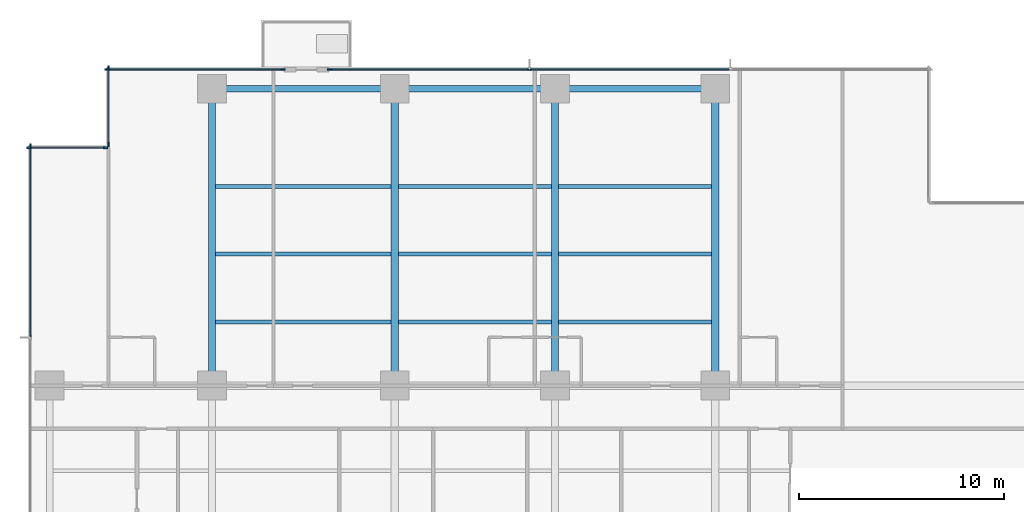
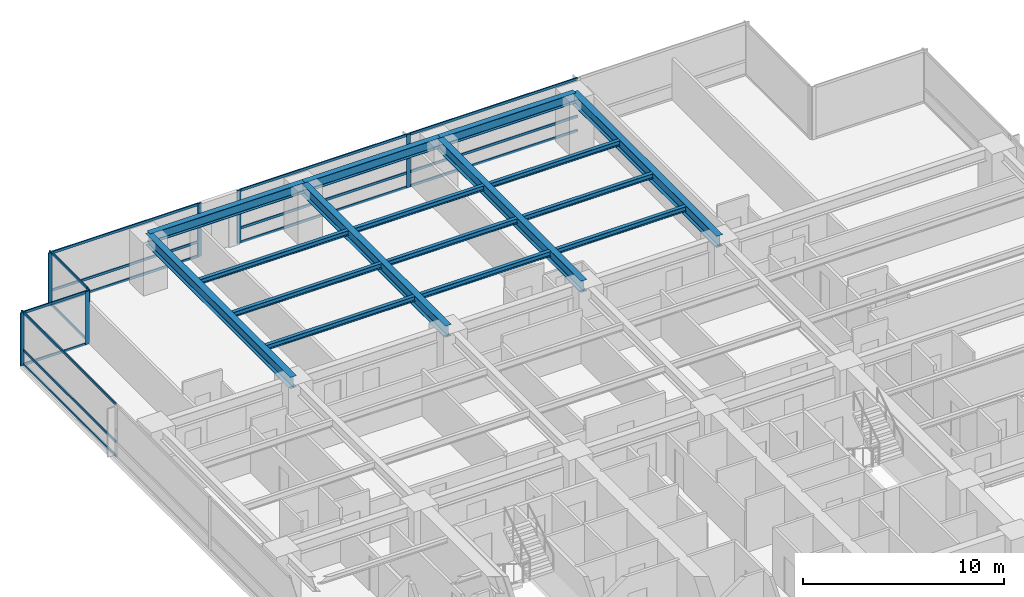
# One storey, part 4 of 16: 25 members, 16 beams, 5 elements without a shape of their own.
"""IFC4 building model written with IfcOpenShell, lengths in metres."""

from ifc_helpers import new_model, si_unit, direction, frame, origin, origin_2d, place, context, subcontext, project, spatial, rectangle, i_section, extrude, material, layer, layer_set, material_profile, profile_set, type_object, element, aggregate, save


model = new_model("IFC4")

# Units and contexts
model_context = context("Model", 3, precision=1e-05, world=origin(), true_north=direction((0.0, 1.0)))
body_context = subcontext(model_context, "Body", "Model", "MODEL_VIEW")
ifc_project = project(units=[si_unit("LENGTHUNIT", "METRE"), si_unit("AREAUNIT", "SQUARE_METRE"), si_unit("VOLUMEUNIT", "CUBIC_METRE"), si_unit("PLANEANGLEUNIT", "RADIAN"), si_unit("MASSUNIT", "GRAM", prefix="KILO")], contexts=[model_context])

# Site, building, storey
site_placement = place(None, origin())
site = spatial("IfcSite", under=ifc_project, at=site_placement, CompositionType="ELEMENT")
building_placement = place(site_placement, origin())
building = spatial("IfcBuilding", under=site, at=building_placement, Name="Qalmaran Belvedere Hotel", CompositionType="ELEMENT")
storey_placement = place(building_placement, frame((0.0, 0.0, 43.89990234375)))
storey = spatial("IfcBuildingStorey", under=building, at=storey_placement, Name="L10", CompositionType="ELEMENT", Elevation=43.89990234375)

# Beams
ifc_material_1 = material(Name="Steel S355JR", Category="steel")
ifc_material_profile_1 = material_profile(ifc_material_1, i_section(OverallWidth=0.202880859375, OverallDepth=0.302978515625, WebThickness=0.007568359375, FlangeThickness=0.01318359375, FilletRadius=0.012939453125, at=origin_2d()), Name="W310X60")
ifc_profile_set_1 = profile_set([ifc_material_profile_1], Name="Steel S355JR")
beam_type_1 = type_object("IfcBeamType", Name="BM-JST-W310X60", PredefinedType="JOIST", material=ifc_profile_set_1)
beam_1_placement = place(storey_placement, frame((20.4755859375, 36.10009765625, 3.068603515625), z_axis=(1.0, 0.0, 0.0), x_axis=(0.0, 1.0, 0.0)))
element("IfcBeam", 1, at=beam_1_placement, inside=storey, type_object=beam_type_1, Name="L10 North Floor Joist 042", PredefinedType="JOIST", context=body_context, shape_type="SweptSolid", body=[
    extrude(i_section(OverallWidth=0.202880859375, OverallDepth=0.302978515625, WebThickness=0.007568359375, FlangeThickness=0.01318359375, FilletRadius=0.012939453125, at=origin_2d()), origin(), (0.0, 0.0, 1.0), 8.548828125),
])
for number, where, z_axis, x_axis, name in (
    (2, (29.37548828125, 36.10009765625, 3.068603515625), (1.0, 0.0, 0.0), (0.0, 1.0, 0.0), "L10 North Floor Joist 043"),
    (3, (37.175537109375, 36.10009765625, 3.068603515625), (1.0, 0.0, 0.0), (0.0, 1.0, 0.0), "L10 North Floor Joist 044"),
):
    element("IfcBeam", number, at=place(storey_placement, frame(where, z_axis=z_axis, x_axis=x_axis)), inside=storey, type_object=beam_type_1, Name=name, PredefinedType="JOIST", context=body_context, shape_type="SweptSolid", body=[
        extrude(i_section(OverallWidth=0.202880859375, OverallDepth=0.302978515625, WebThickness=0.007568359375, FlangeThickness=0.01318359375, FilletRadius=0.012939453125, at=origin_2d()), origin(), (0.0, 0.0, 1.0), 7.448974609375),
    ])
beam_2_placement = place(storey_placement, frame((20.4755859375, 39.39990234375, 3.068603515625), z_axis=(1.0, 0.0, 0.0), x_axis=(0.0, 1.0, 0.0)))
element("IfcBeam", 4, at=beam_2_placement, inside=storey, type_object=beam_type_1, Name="L10 North Floor Joist 045", PredefinedType="JOIST", context=body_context, shape_type="SweptSolid", body=[
    extrude(i_section(OverallWidth=0.202880859375, OverallDepth=0.302978515625, WebThickness=0.007568359375, FlangeThickness=0.01318359375, FilletRadius=0.012939453125, at=origin_2d()), origin(), (0.0, 0.0, 1.0), 8.548828125),
])
for number, where, z_axis, x_axis, name in (
    (5, (29.37548828125, 39.39990234375, 3.068603515625), (1.0, 0.0, 0.0), (0.0, 1.0, 0.0), "L10 North Floor Joist 046"),
    (6, (37.175537109375, 39.39990234375, 3.068603515625), (1.0, 0.0, 0.0), (0.0, 1.0, 0.0), "L10 North Floor Joist 047"),
):
    element("IfcBeam", number, at=place(storey_placement, frame(where, z_axis=z_axis, x_axis=x_axis)), inside=storey, type_object=beam_type_1, Name=name, PredefinedType="JOIST", context=body_context, shape_type="SweptSolid", body=[
        extrude(i_section(OverallWidth=0.202880859375, OverallDepth=0.302978515625, WebThickness=0.007568359375, FlangeThickness=0.01318359375, FilletRadius=0.012939453125, at=origin_2d()), origin(), (0.0, 0.0, 1.0), 7.448974609375),
    ])
beam_3_placement = place(storey_placement, frame((20.4755859375, 42.699951171875, 3.068603515625), z_axis=(1.0, 0.0, 0.0), x_axis=(0.0, 1.0, 0.0)))
element("IfcBeam", 7, at=beam_3_placement, inside=storey, type_object=beam_type_1, Name="L10 North Floor Joist 048", PredefinedType="JOIST", context=body_context, shape_type="SweptSolid", body=[
    extrude(i_section(OverallWidth=0.202880859375, OverallDepth=0.302978515625, WebThickness=0.007568359375, FlangeThickness=0.01318359375, FilletRadius=0.012939453125, at=origin_2d()), origin(), (0.0, 0.0, 1.0), 8.548828125),
])
for number, where, z_axis, x_axis, name in (
    (8, (29.37548828125, 42.699951171875, 3.068603515625), (1.0, 0.0, 0.0), (0.0, 1.0, 0.0), "L10 North Floor Joist 049"),
    (9, (37.175537109375, 42.699951171875, 3.068603515625), (1.0, 0.0, 0.0), (0.0, 1.0, 0.0), "L10 North Floor Joist 050"),
):
    element("IfcBeam", number, at=place(storey_placement, frame(where, z_axis=z_axis, x_axis=x_axis)), inside=storey, type_object=beam_type_1, Name=name, PredefinedType="JOIST", context=body_context, shape_type="SweptSolid", body=[
        extrude(i_section(OverallWidth=0.202880859375, OverallDepth=0.302978515625, WebThickness=0.007568359375, FlangeThickness=0.01318359375, FilletRadius=0.012939453125, at=origin_2d()), origin(), (0.0, 0.0, 1.0), 7.448974609375),
    ])
ifc_material_profile_2 = material_profile(ifc_material_1, i_section(OverallWidth=0.326904296875, OverallDepth=0.6220703125, WebThickness=0.015380859375, FlangeThickness=0.0244140625, FilletRadius=0.02001953125, at=origin_2d()), Name="W610X195")
ifc_profile_set_2 = profile_set([ifc_material_profile_2], Name="Steel S355JR")
beam_type_2 = type_object("IfcBeamType", Name="BM-SP1-W610X195", PredefinedType="SPANDREL", material=ifc_profile_set_2)
beam_4_placement = place(storey_placement, frame((20.300048828125, 47.449951171875, 2.9091796875), z_axis=(1.0, 0.0, 0.0), x_axis=(0.0, 1.0, 0.0)))
element("IfcBeam", 10, at=beam_4_placement, inside=storey, type_object=beam_type_2, Name="L10 Perimeter Spandrel 05", PredefinedType="SPANDREL", context=body_context, shape_type="SweptSolid", body=[
    extrude(i_section(OverallWidth=0.326904296875, OverallDepth=0.6220703125, WebThickness=0.015380859375, FlangeThickness=0.0244140625, FilletRadius=0.02001953125, at=origin_2d()), origin(), (0.0, 0.0, 1.0), 8.89990234375),
])
for number, where, z_axis, x_axis, name in (
    (11, (29.199951171875, 47.449951171875, 2.9091796875), (1.0, 0.0, 0.0), (0.0, 1.0, 0.0), "L10 Perimeter Spandrel 06"),
    (12, (37.0, 47.449951171875, 2.9091796875), (1.0, 0.0, 0.0), (0.0, 1.0, 0.0), "L10 Perimeter Spandrel 07"),
):
    element("IfcBeam", number, at=place(storey_placement, frame(where, z_axis=z_axis, x_axis=x_axis)), inside=storey, type_object=beam_type_2, Name=name, PredefinedType="SPANDREL", context=body_context, shape_type="SweptSolid", body=[
        extrude(i_section(OverallWidth=0.326904296875, OverallDepth=0.6220703125, WebThickness=0.015380859375, FlangeThickness=0.0244140625, FilletRadius=0.02001953125, at=origin_2d()), origin(), (0.0, 0.0, 1.0), 7.800048828125),
    ])
ifc_material_profile_3 = material_profile(ifc_material_1, i_section(OverallWidth=0.35498046875, OverallDepth=0.695068359375, WebThickness=0.015380859375, FlangeThickness=0.02490234375, FilletRadius=0.02197265625, at=origin_2d()), Name="W690X217")
ifc_profile_set_3 = profile_set([ifc_material_profile_3], Name="Steel S355JR")
beam_type_3 = type_object("IfcBeamType", Name="BM-Z1-W690X217", PredefinedType="USERDEFINED", material=ifc_profile_set_3)
for number, where, z_axis, x_axis, name in (
    (13, (20.300048828125, 33.0, 2.87255859375), (0.0, 1.0, 0.0), (-1.0, 0.0, 0.0), "L10 North Bay Girder 15"),
    (14, (29.199951171875, 33.0, 2.87255859375), (0.0, 1.0, 0.0), (-1.0, 0.0, 0.0), "L10 North Bay Girder 17"),
    (15, (37.0, 33.0, 2.87255859375), (0.0, 1.0, 0.0), (-1.0, 0.0, 0.0), "L10 North Bay Girder 19"),
    (16, (44.800048828125, 33.0, 2.87255859375), (0.0, 1.0, 0.0), (-1.0, 0.0, 0.0), "L10 North Bay Girder 21"),
):
    element("IfcBeam", number, at=place(storey_placement, frame(where, z_axis=z_axis, x_axis=x_axis)), inside=storey, type_object=beam_type_3, Name=name, ObjectType="GIRDER", PredefinedType="USERDEFINED", context=body_context, shape_type="SweptSolid", body=[
        extrude(i_section(OverallWidth=0.35498046875, OverallDepth=0.695068359375, WebThickness=0.015380859375, FlangeThickness=0.02490234375, FilletRadius=0.02197265625, at=origin_2d()), origin(), (0.0, 0.0, 1.0), 14.449951171875),
    ])

# Curtain wall, members
ifc_material_2 = material(Name="Anodised Bronze Aluminium", Category="aluminium")
ifc_layer = layer(ifc_material_2, 0.2099609375, Name="Anodised Bronze Aluminium")
ifc_layer_set = layer_set([ifc_layer], Name="Anodised Bronze Aluminium")
curtain_wall_type = type_object("IfcCurtainWallType", Name="CW2-TOWER-LOWER", PredefinedType="NOTDEFINED", material=ifc_layer_set)
curtain_wall_1_placement = place(storey_placement, origin())
curtain_wall_1 = element("IfcCurtainWall", 17, at=curtain_wall_1_placement, inside=storey, type_object=curtain_wall_type, Name="L10 Curtain Wall CW2", PredefinedType="NOTDEFINED")
ifc_material_profile_4 = material_profile(ifc_material_2, rectangle(XDim=0.074951171875, YDim=0.219970703125, at=origin_2d()), Name="CWM75X220")
ifc_profile_set_4 = profile_set([ifc_material_profile_4], Name="Anodised Bronze Aluminium")
member_type_1 = type_object("IfcMemberType", Name="CWM-75X220", PredefinedType="MULLION", material=ifc_profile_set_4)
member_1_placement = place(storey_placement, frame((23.762451171875, 48.3798828125, 0.0), z_axis=(0.0, 0.0, 1.0), x_axis=(0.0, -1.0, 0.0)))
member_1 = element("IfcMember", 18, at=member_1_placement, type_object=member_type_1, Name="CW2 mullion 1", PredefinedType="MULLION", context=body_context, shape_type="SweptSolid", body=[
    extrude(rectangle(XDim=0.074951171875, YDim=0.219970703125, at=origin_2d()), origin(), (0.0, 0.0, 1.0), 3.22021484375),
])
member_2_placement = place(storey_placement, frame((15.1875, 48.3798828125, 0.0), z_axis=(0.0, 0.0, 1.0), x_axis=(0.0, -1.0, 0.0)))
member_2 = element("IfcMember", 19, at=member_2_placement, type_object=member_type_1, Name="CW2 mullion 2", PredefinedType="MULLION", context=body_context, shape_type="SweptSolid", body=[
    extrude(rectangle(XDim=0.074951171875, YDim=0.219970703125, at=origin_2d()), origin(), (0.0, 0.0, 1.0), 3.22021484375),
])

curtain_wall_2_placement = place(storey_placement, origin())
curtain_wall_2 = element("IfcCurtainWall", 20, at=curtain_wall_2_placement, inside=storey, type_object=curtain_wall_type, Name="L10 Curtain Wall CW2", PredefinedType="NOTDEFINED")
member_3_placement = place(storey_placement, frame((35.7666015625, 48.3798828125, 0.0), z_axis=(0.0, 0.0, 1.0), x_axis=(0.0, -1.0, 0.0)))
member_3 = element("IfcMember", 21, at=member_3_placement, type_object=member_type_1, Name="CW2 mullion 3", PredefinedType="MULLION", context=body_context, shape_type="SweptSolid", body=[
    extrude(rectangle(XDim=0.074951171875, YDim=0.219970703125, at=origin_2d()), origin(), (0.0, 0.0, 1.0), 3.22021484375),
])
member_4_placement = place(storey_placement, frame((26.03759765625, 48.3798828125, 0.0), z_axis=(0.0, 0.0, 1.0), x_axis=(0.0, -1.0, 0.0)))
member_4 = element("IfcMember", 22, at=member_4_placement, type_object=member_type_1, Name="CW2 mullion 4", PredefinedType="MULLION", context=body_context, shape_type="SweptSolid", body=[
    extrude(rectangle(XDim=0.074951171875, YDim=0.219970703125, at=origin_2d()), origin(), (0.0, 0.0, 1.0), 3.22021484375),
])

curtain_wall_3_placement = place(storey_placement, origin())
curtain_wall_3 = element("IfcCurtainWall", 23, at=curtain_wall_3_placement, inside=storey, type_object=curtain_wall_type, Name="L10 Curtain Wall CW2", PredefinedType="NOTDEFINED")
member_5_placement = place(storey_placement, frame((15.27001953125, 48.46240234375, 0.0), z_axis=(0.0, 0.0, 1.0), x_axis=(1.0, 0.0, 0.0)))
member_5 = element("IfcMember", 24, at=member_5_placement, type_object=member_type_1, Name="CW2 mullion 1", PredefinedType="MULLION", context=body_context, shape_type="SweptSolid", body=[
    extrude(rectangle(XDim=0.074951171875, YDim=0.219970703125, at=origin_2d()), origin(), (0.0, 0.0, 1.0), 3.22021484375),
])
member_6_placement = place(storey_placement, frame((15.27001953125, 44.737548828125, 0.0), z_axis=(0.0, 0.0, 1.0), x_axis=(1.0, 0.0, 0.0)))
member_6 = element("IfcMember", 25, at=member_6_placement, type_object=member_type_1, Name="CW2 mullion 2", PredefinedType="MULLION", context=body_context, shape_type="SweptSolid", body=[
    extrude(rectangle(XDim=0.074951171875, YDim=0.219970703125, at=origin_2d()), origin(), (0.0, 0.0, 1.0), 3.22021484375),
])

curtain_wall_4_placement = place(storey_placement, origin())
curtain_wall_4 = element("IfcCurtainWall", 26, at=curtain_wall_4_placement, inside=storey, type_object=curtain_wall_type, Name="L10 Curtain Wall CW2", PredefinedType="NOTDEFINED")
member_7_placement = place(storey_placement, frame((15.112548828125, 44.580078125, 0.0), z_axis=(0.0, 0.0, 1.0), x_axis=(0.0, -1.0, 0.0)))
member_7 = element("IfcMember", 27, at=member_7_placement, type_object=member_type_1, Name="CW2 mullion 1", PredefinedType="MULLION", context=body_context, shape_type="SweptSolid", body=[
    extrude(rectangle(XDim=0.074951171875, YDim=0.219970703125, at=origin_2d()), origin(), (0.0, 0.0, 1.0), 3.22021484375),
])
member_8_placement = place(storey_placement, frame((11.387451171875, 44.580078125, 0.0), z_axis=(0.0, 0.0, 1.0), x_axis=(0.0, -1.0, 0.0)))
member_8 = element("IfcMember", 28, at=member_8_placement, type_object=member_type_1, Name="CW2 mullion 2", PredefinedType="MULLION", context=body_context, shape_type="SweptSolid", body=[
    extrude(rectangle(XDim=0.074951171875, YDim=0.219970703125, at=origin_2d()), origin(), (0.0, 0.0, 1.0), 3.22021484375),
])

# Curtain wall, member
curtain_wall_5_placement = place(storey_placement, origin())
curtain_wall_5 = element("IfcCurtainWall", 29, at=curtain_wall_5_placement, inside=storey, type_object=curtain_wall_type, Name="L10 Curtain Wall CW2", PredefinedType="NOTDEFINED")
member_9_placement = place(storey_placement, frame((11.469970703125, 44.66259765625, 0.0), z_axis=(0.0, 0.0, 1.0), x_axis=(1.0, 0.0, 0.0)))
member_9 = element("IfcMember", 30, at=member_9_placement, type_object=member_type_1, Name="CW2 mullion 1", PredefinedType="MULLION", context=body_context, shape_type="SweptSolid", body=[
    extrude(rectangle(XDim=0.074951171875, YDim=0.219970703125, at=origin_2d()), origin(), (0.0, 0.0, 1.0), 3.22021484375),
])

# Member
ifc_material_profile_5 = material_profile(ifc_material_2, rectangle(XDim=0.070068359375, YDim=0.14990234375, at=origin_2d()), Name="CWT70X150")
ifc_profile_set_5 = profile_set([ifc_material_profile_5], Name="Anodised Bronze Aluminium")
member_type_2 = type_object("IfcMemberType", Name="CWT-70X150", PredefinedType="USERDEFINED", material=ifc_profile_set_5)
member_10_placement = place(storey_placement, frame((23.72509765625, 48.3798828125, 0.03515625), z_axis=(-1.0, 0.0, 0.0), x_axis=(0.0, -1.0, 0.0)))
member_10 = element("IfcMember", 31, at=member_10_placement, type_object=member_type_2, Name="CW2 transom 1.1", ObjectType="TRANSOM", PredefinedType="USERDEFINED", context=body_context, shape_type="SweptSolid", body=[
    extrude(rectangle(XDim=0.070068359375, YDim=0.14990234375, at=origin_2d()), origin(), (0.0, 0.0, 1.0), 8.5),
])

member_11_placement = place(storey_placement, frame((23.72509765625, 48.3798828125, 0.901611328125), z_axis=(-1.0, 0.0, 0.0), x_axis=(0.0, -1.0, 0.0)))
member_11 = element("IfcMember", 32, at=member_11_placement, type_object=member_type_2, Name="CW2 transom 1.2", ObjectType="TRANSOM", PredefinedType="USERDEFINED", context=body_context, shape_type="SweptSolid", body=[
    extrude(rectangle(XDim=0.070068359375, YDim=0.14990234375, at=origin_2d()), origin(), (0.0, 0.0, 1.0), 8.5),
])

member_12_placement = place(storey_placement, frame((23.72509765625, 48.3798828125, 3.18505859375), z_axis=(-1.0, 0.0, 0.0), x_axis=(0.0, -1.0, 0.0)))
member_12 = element("IfcMember", 33, at=member_12_placement, type_object=member_type_2, Name="CW2 transom 1.3", ObjectType="TRANSOM", PredefinedType="USERDEFINED", context=body_context, shape_type="SweptSolid", body=[
    extrude(rectangle(XDim=0.070068359375, YDim=0.14990234375, at=origin_2d()), origin(), (0.0, 0.0, 1.0), 8.5),
])

aggregate(curtain_wall_1, [member_1, member_2, member_10, member_11, member_12])

member_13_placement = place(storey_placement, frame((45.495849609375, 48.3798828125, 0.03515625), z_axis=(-1.0, 0.0, 0.0), x_axis=(0.0, -1.0, 0.0)))
member_13 = element("IfcMember", 34, at=member_13_placement, type_object=member_type_2, Name="CW2 transom 2.1", ObjectType="TRANSOM", PredefinedType="USERDEFINED", context=body_context, shape_type="SweptSolid", body=[
    extrude(rectangle(XDim=0.070068359375, YDim=0.14990234375, at=origin_2d()), origin(), (0.0, 0.0, 1.0), 9.691650390625),
])

member_14_placement = place(storey_placement, frame((45.495849609375, 48.3798828125, 0.901611328125), z_axis=(-1.0, 0.0, 0.0), x_axis=(0.0, -1.0, 0.0)))
member_14 = element("IfcMember", 35, at=member_14_placement, type_object=member_type_2, Name="CW2 transom 2.2", ObjectType="TRANSOM", PredefinedType="USERDEFINED", context=body_context, shape_type="SweptSolid", body=[
    extrude(rectangle(XDim=0.070068359375, YDim=0.14990234375, at=origin_2d()), origin(), (0.0, 0.0, 1.0), 9.691650390625),
])

member_15_placement = place(storey_placement, frame((45.495849609375, 48.3798828125, 3.18505859375), z_axis=(-1.0, 0.0, 0.0), x_axis=(0.0, -1.0, 0.0)))
member_15 = element("IfcMember", 36, at=member_15_placement, type_object=member_type_2, Name="CW2 transom 2.3", ObjectType="TRANSOM", PredefinedType="USERDEFINED", context=body_context, shape_type="SweptSolid", body=[
    extrude(rectangle(XDim=0.070068359375, YDim=0.14990234375, at=origin_2d()), origin(), (0.0, 0.0, 1.0), 9.691650390625),
])

member_16_placement = place(storey_placement, frame((35.729248046875, 48.3798828125, 0.03515625), z_axis=(-1.0, 0.0, 0.0), x_axis=(0.0, -1.0, 0.0)))
member_16 = element("IfcMember", 37, at=member_16_placement, type_object=member_type_2, Name="CW2 transom 3.1", ObjectType="TRANSOM", PredefinedType="USERDEFINED", context=body_context, shape_type="SweptSolid", body=[
    extrude(rectangle(XDim=0.070068359375, YDim=0.14990234375, at=origin_2d()), origin(), (0.0, 0.0, 1.0), 9.654296875),
])

member_17_placement = place(storey_placement, frame((35.729248046875, 48.3798828125, 0.901611328125), z_axis=(-1.0, 0.0, 0.0), x_axis=(0.0, -1.0, 0.0)))
member_17 = element("IfcMember", 38, at=member_17_placement, type_object=member_type_2, Name="CW2 transom 3.2", ObjectType="TRANSOM", PredefinedType="USERDEFINED", context=body_context, shape_type="SweptSolid", body=[
    extrude(rectangle(XDim=0.070068359375, YDim=0.14990234375, at=origin_2d()), origin(), (0.0, 0.0, 1.0), 9.654296875),
])

member_18_placement = place(storey_placement, frame((35.729248046875, 48.3798828125, 3.18505859375), z_axis=(-1.0, 0.0, 0.0), x_axis=(0.0, -1.0, 0.0)))
member_18 = element("IfcMember", 39, at=member_18_placement, type_object=member_type_2, Name="CW2 transom 3.3", ObjectType="TRANSOM", PredefinedType="USERDEFINED", context=body_context, shape_type="SweptSolid", body=[
    extrude(rectangle(XDim=0.070068359375, YDim=0.14990234375, at=origin_2d()), origin(), (0.0, 0.0, 1.0), 9.654296875),
])

aggregate(curtain_wall_2, [member_3, member_4, member_13, member_14, member_15, member_16, member_17, member_18])

member_19_placement = place(storey_placement, frame((15.27001953125, 48.425048828125, 0.03515625), z_axis=(0.0, -1.0, 0.0), x_axis=(1.0, 0.0, 0.0)))
member_19 = element("IfcMember", 40, at=member_19_placement, type_object=member_type_2, Name="CW2 transom 1.1", ObjectType="TRANSOM", PredefinedType="USERDEFINED", context=body_context, shape_type="SweptSolid", body=[
    extrude(rectangle(XDim=0.070068359375, YDim=0.14990234375, at=origin_2d()), origin(), (0.0, 0.0, 1.0), 3.650146484375),
])

member_20_placement = place(storey_placement, frame((15.27001953125, 48.425048828125, 3.18505859375), z_axis=(0.0, -1.0, 0.0), x_axis=(1.0, 0.0, 0.0)))
member_20 = element("IfcMember", 41, at=member_20_placement, type_object=member_type_2, Name="CW2 transom 1.2", ObjectType="TRANSOM", PredefinedType="USERDEFINED", context=body_context, shape_type="SweptSolid", body=[
    extrude(rectangle(XDim=0.070068359375, YDim=0.14990234375, at=origin_2d()), origin(), (0.0, 0.0, 1.0), 3.650146484375),
])

aggregate(curtain_wall_3, [member_5, member_6, member_19, member_20])

member_21_placement = place(storey_placement, frame((15.074951171875, 44.580078125, 0.03515625), z_axis=(-1.0, 0.0, 0.0), x_axis=(0.0, -1.0, 0.0)))
member_21 = element("IfcMember", 42, at=member_21_placement, type_object=member_type_2, Name="CW2 transom 1.1", ObjectType="TRANSOM", PredefinedType="USERDEFINED", context=body_context, shape_type="SweptSolid", body=[
    extrude(rectangle(XDim=0.070068359375, YDim=0.14990234375, at=origin_2d()), origin(), (0.0, 0.0, 1.0), 3.64990234375),
])

member_22_placement = place(storey_placement, frame((15.074951171875, 44.580078125, 3.18505859375), z_axis=(-1.0, 0.0, 0.0), x_axis=(0.0, -1.0, 0.0)))
member_22 = element("IfcMember", 43, at=member_22_placement, type_object=member_type_2, Name="CW2 transom 1.2", ObjectType="TRANSOM", PredefinedType="USERDEFINED", context=body_context, shape_type="SweptSolid", body=[
    extrude(rectangle(XDim=0.070068359375, YDim=0.14990234375, at=origin_2d()), origin(), (0.0, 0.0, 1.0), 3.64990234375),
])

aggregate(curtain_wall_4, [member_7, member_8, member_21, member_22])

member_23_placement = place(storey_placement, frame((11.469970703125, 44.625, 0.03515625), z_axis=(0.0, -1.0, 0.0), x_axis=(1.0, 0.0, 0.0)))
member_23 = element("IfcMember", 44, at=member_23_placement, type_object=member_type_2, Name="CW2 transom 1.1", ObjectType="TRANSOM", PredefinedType="USERDEFINED", context=body_context, shape_type="SweptSolid", body=[
    extrude(rectangle(XDim=0.070068359375, YDim=0.14990234375, at=origin_2d()), origin(), (0.0, 0.0, 1.0), 9.237548828125),
])

member_24_placement = place(storey_placement, frame((11.469970703125, 44.625, 0.901611328125), z_axis=(0.0, -1.0, 0.0), x_axis=(1.0, 0.0, 0.0)))
member_24 = element("IfcMember", 45, at=member_24_placement, type_object=member_type_2, Name="CW2 transom 1.2", ObjectType="TRANSOM", PredefinedType="USERDEFINED", context=body_context, shape_type="SweptSolid", body=[
    extrude(rectangle(XDim=0.070068359375, YDim=0.14990234375, at=origin_2d()), origin(), (0.0, 0.0, 1.0), 9.237548828125),
])

member_25_placement = place(storey_placement, frame((11.469970703125, 44.625, 3.18505859375), z_axis=(0.0, -1.0, 0.0), x_axis=(1.0, 0.0, 0.0)))
member_25 = element("IfcMember", 46, at=member_25_placement, type_object=member_type_2, Name="CW2 transom 1.3", ObjectType="TRANSOM", PredefinedType="USERDEFINED", context=body_context, shape_type="SweptSolid", body=[
    extrude(rectangle(XDim=0.070068359375, YDim=0.14990234375, at=origin_2d()), origin(), (0.0, 0.0, 1.0), 9.237548828125),
])

aggregate(curtain_wall_5, [member_9, member_23, member_24, member_25])

save(model, "model.ifc")
